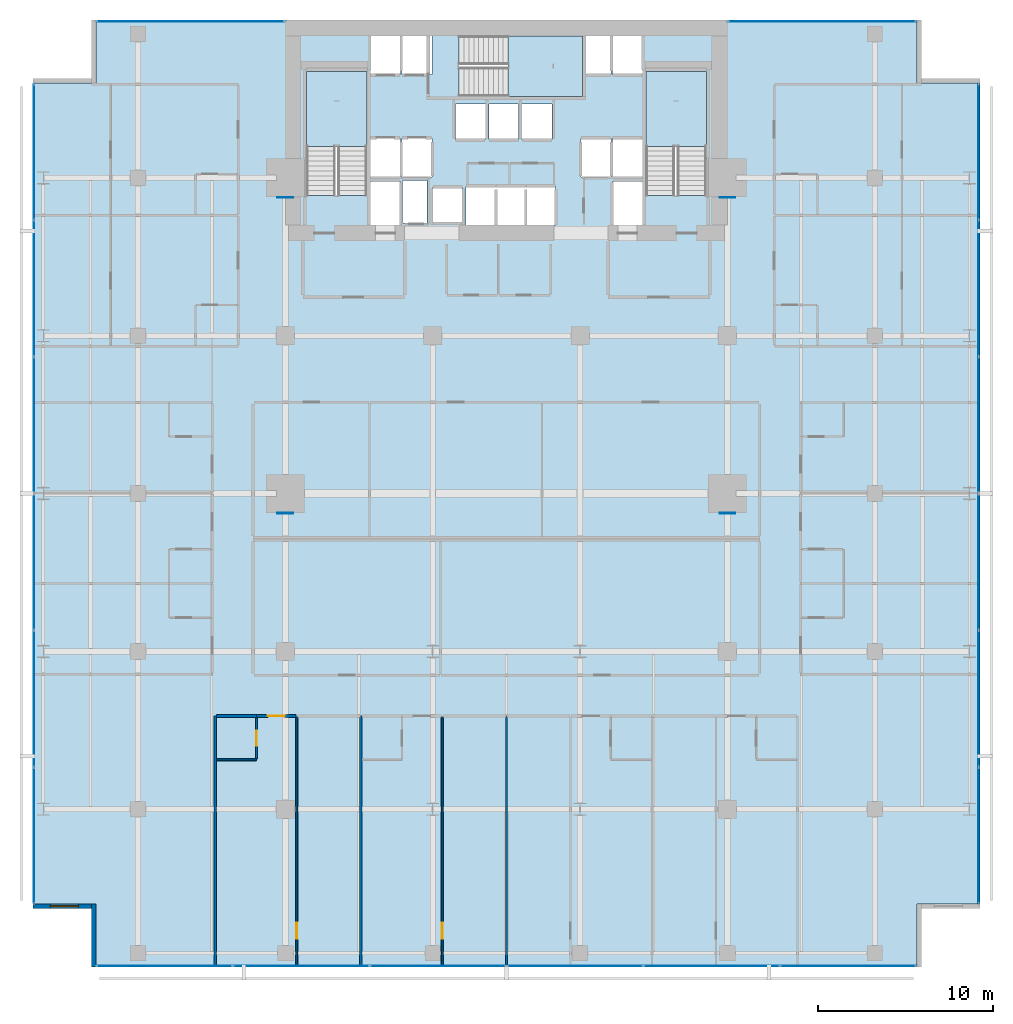
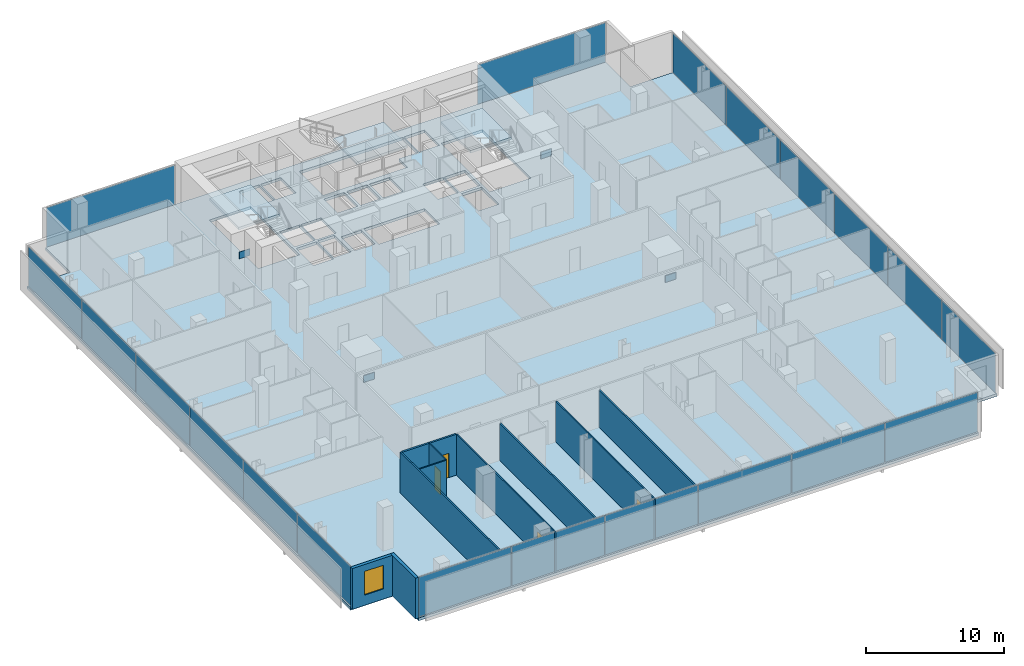
# One storey, part 32 of 40: 24 plates, 11 walls, 4 doors, 4 slabs, 1 window, 5 openings, 8 elements without a shape of their own.
"""IFC4 building model written with IfcOpenShell, lengths in metres."""

from ifc_helpers import new_model, si_unit, direction, frame, frame_2d, origin, origin_2d, place, context, subcontext, project, spatial, polyline, rectangle, outline, extrude, material, layer, layer_set, type_object, element, fill, aggregate, save


model = new_model("IFC4")

# Units and contexts
model_context = context("Model", 3, precision=1e-05, world=origin(), true_north=direction((0.0, 1.0)))
body_context = subcontext(model_context, "Body", "Model", "MODEL_VIEW")
ifc_project = project(units=[si_unit("LENGTHUNIT", "METRE"), si_unit("AREAUNIT", "SQUARE_METRE"), si_unit("VOLUMEUNIT", "CUBIC_METRE"), si_unit("PLANEANGLEUNIT", "RADIAN"), si_unit("MASSUNIT", "GRAM", prefix="KILO")], contexts=[model_context])

# Site, building, storey
site_placement = place(None, origin())
site = spatial("IfcSite", under=ifc_project, at=site_placement, CompositionType="ELEMENT")
building_placement = place(site_placement, origin())
building = spatial("IfcBuilding", under=site, at=building_placement, Name="Maruvema Waterfront Hotel and Observation Tower", CompositionType="ELEMENT")
storey_placement = place(building_placement, frame((0.0, 0.0, 50.050048828125)))
storey = spatial("IfcBuildingStorey", under=building, at=storey_placement, Name="L11", CompositionType="ELEMENT", Elevation=50.050048828125)

# Slab
ifc_material_1 = material(Name="Concrete C50/60", Category="concrete")
ifc_layer_1 = layer(ifc_material_1, 0.239990234375, Name="Reinforced Concrete Floor Slab 240 mm")
ifc_layer_set_1 = layer_set([ifc_layer_1], Name="Concrete C50/60")
slab_type_1 = type_object("IfcSlabType", Name="Reinforced Concrete Floor Slab 240 mm", PredefinedType="FLOOR", material=ifc_layer_set_1)
slab_1_placement = place(storey_placement, frame((0.0, 0.0, -0.239990234375)))
element("IfcSlab", 1, at=slab_1_placement, inside=storey, type_object=slab_type_1, Name="L11 Structural Floor Slab", PredefinedType="FLOOR", context=body_context, shape_type="SweptSolid", body=[
    extrude(outline(polyline([(14.39990234375, 0.0), (61.199951171875, 0.0), (61.199951171875, 3.60009765625), (64.800048828125, 3.60009765625), (64.800048828125, 50.39990234375), (61.199951171875, 50.39990234375), (61.199951171875, 54.0), (14.39990234375, 54.0), (14.39990234375, 50.39990234375), (10.800048828125, 50.39990234375), (10.800048828125, 3.60009765625), (14.39990234375, 3.60009765625), (14.39990234375, 0.0)]), holes=[polyline([(26.39990234375, 44.00048828125), (26.39990234375, 51.050048828125), (29.85009765625, 51.050048828125), (29.85009765625, 44.00048828125), (26.39990234375, 44.00048828125)]), polyline([(30.050048828125, 44.800048828125), (31.75, 44.800048828125), (31.75, 42.320068359375), (30.050048828125, 42.320068359375), (30.050048828125, 44.800048828125)]), polyline([(31.75, 47.25), (31.75, 45.050048828125), (30.050048828125, 45.050048828125), (30.050048828125, 47.25), (31.75, 47.25)]), polyline([(31.75, 53.10009765625), (31.75, 50.89990234375), (30.050048828125, 50.89990234375), (30.050048828125, 53.10009765625), (31.75, 53.10009765625)]), polyline([(33.280029296875, 44.860107421875), (33.280029296875, 42.43994140625), (31.8798828125, 42.43994140625), (31.8798828125, 44.860107421875), (33.280029296875, 44.860107421875)]), polyline([(31.85009765625, 47.25), (33.550048828125, 47.25), (33.550048828125, 45.050048828125), (31.85009765625, 45.050048828125), (31.85009765625, 47.25)]), polyline([(31.85009765625, 53.10009765625), (33.550048828125, 53.10009765625), (33.550048828125, 50.89990234375), (31.85009765625, 50.89990234375), (31.85009765625, 53.10009765625)]), polyline([(33.60009765625, 44.449951171875), (35.300048828125, 44.449951171875), (35.300048828125, 42.449951171875), (33.60009765625, 42.449951171875), (33.60009765625, 44.449951171875)]), polyline([(34.89990234375, 49.199951171875), (36.60009765625, 49.199951171875), (36.60009765625, 47.199951171875), (34.89990234375, 47.199951171875), (34.89990234375, 49.199951171875)]), polyline([(38.5, 49.199951171875), (38.5, 47.199951171875), (36.800048828125, 47.199951171875), (36.800048828125, 49.199951171875), (38.5, 49.199951171875)]), polyline([(35.5, 44.5), (40.60009765625, 44.5), (40.60009765625, 42.300048828125), (35.5, 42.300048828125), (35.5, 44.5)]), polyline([(43.75, 50.89990234375), (42.14990234375, 50.89990234375), (42.14990234375, 49.64990234375), (35.1005859375, 49.64990234375), (35.1005859375, 53.10009765625), (43.75, 53.10009765625), (43.75, 50.89990234375)]), polyline([(40.39990234375, 49.199951171875), (40.39990234375, 47.199951171875), (38.699951171875, 47.199951171875), (38.699951171875, 49.199951171875), (40.39990234375, 49.199951171875)]), polyline([(43.75, 47.25), (43.75, 45.050048828125), (42.050048828125, 45.050048828125), (42.050048828125, 47.25), (43.75, 47.25)]), polyline([(45.550048828125, 44.800048828125), (45.550048828125, 42.320068359375), (43.85009765625, 42.320068359375), (43.85009765625, 44.800048828125), (45.550048828125, 44.800048828125)]), polyline([(43.85009765625, 47.25), (45.550048828125, 47.25), (45.550048828125, 45.050048828125), (43.85009765625, 45.050048828125), (43.85009765625, 47.25)]), polyline([(45.550048828125, 53.10009765625), (45.550048828125, 50.89990234375), (43.85009765625, 50.89990234375), (43.85009765625, 53.10009765625), (45.550048828125, 53.10009765625)]), polyline([(45.75, 51.050048828125), (49.199951171875, 51.050048828125), (49.199951171875, 44.00048828125), (45.75, 44.00048828125), (45.75, 51.050048828125)])]), origin(), (0.0, 0.0, 1.0), 0.239990234375),
])

# Curtain wall, plates
ifc_material_2 = material(Name="Anodised bronze aluminium and solar-control low-E IGU", Category="aluminium")
ifc_layer_2 = layer(ifc_material_2, 0.159912109375, Name="Zone 1 Bronze Inner Thermal Curtain Wall System CW-02")
ifc_layer_set_2 = layer_set([ifc_layer_2], Name="Anodised bronze aluminium and solar-control low-E IGU")
curtain_wall_type = type_object("IfcCurtainWallType", Name="Zone 1 Bronze Inner Thermal Curtain Wall System CW-02", PredefinedType="USERDEFINED", material=ifc_layer_set_2)
curtain_wall_1_placement = place(storey_placement, origin())
curtain_wall_1 = element("IfcCurtainWall", 2, at=curtain_wall_1_placement, inside=storey, type_object=curtain_wall_type, Name="L11 Curtain Wall CW-L11-S", ObjectType="UNITISED CURTAIN WALL", PredefinedType="USERDEFINED")
ifc_material_3 = material(Name="Laminated low-E solar-control double glazing", Category="glass")
ifc_layer_3 = layer(ifc_material_3, 0.035888671875, Name="Solar Control Double-Glazed Curtain Panel 36 mm")
ifc_layer_set_3 = layer_set([ifc_layer_3], Name="Laminated low-E solar-control double glazing")
plate_type_1 = type_object("IfcPlateType", Name="Solar Control Double-Glazed Curtain Panel 36 mm", PredefinedType="CURTAIN_PANEL", material=ifc_layer_set_3)
plate_1_placement = place(storey_placement, frame((18.31494140625, 0.080078125, 0.06005859375), z_axis=(0.0, 0.0, 1.0), x_axis=(1.0, 0.0, 0.0)))
plate_1 = element("IfcPlate", 3, at=plate_1_placement, type_object=plate_type_1, Name="CW-02 panel 1.1", PredefinedType="CURTAIN_PANEL", context=body_context, shape_type="SweptSolid", body=[
    extrude(rectangle(XDim=7.7099609375, YDim=0.028076171875, at=origin_2d()), origin(), (0.0, 0.0, 1.0), 3.489990234375),
])
plate_2_placement = place(storey_placement, frame((26.10009765625, 0.080078125, 0.06005859375), z_axis=(0.0, 0.0, 1.0), x_axis=(1.0, 0.0, 0.0)))
plate_2 = element("IfcPlate", 4, at=plate_2_placement, type_object=plate_type_1, Name="CW-02 panel 2.1", PredefinedType="CURTAIN_PANEL", context=body_context, shape_type="SweptSolid", body=[
    extrude(rectangle(XDim=7.739990234375, YDim=0.028076171875, at=origin_2d()), origin(), (0.0, 0.0, 1.0), 3.489990234375),
])
plate_3_placement = place(storey_placement, frame((33.89990234375, 0.080078125, 0.06005859375), z_axis=(0.0, 0.0, 1.0), x_axis=(1.0, 0.0, 0.0)))
plate_3 = element("IfcPlate", 5, at=plate_3_placement, type_object=plate_type_1, Name="CW-02 panel 3.1", PredefinedType="CURTAIN_PANEL", context=body_context, shape_type="SweptSolid", body=[
    extrude(rectangle(XDim=7.739990234375, YDim=0.028076171875, at=origin_2d()), origin(), (0.0, 0.0, 1.0), 3.489990234375),
])
plate_4_placement = place(storey_placement, frame((41.699951171875, 0.080078125, 0.06005859375), z_axis=(0.0, 0.0, 1.0), x_axis=(1.0, 0.0, 0.0)))
plate_4 = element("IfcPlate", 6, at=plate_4_placement, type_object=plate_type_1, Name="CW-02 panel 4.1", PredefinedType="CURTAIN_PANEL", context=body_context, shape_type="SweptSolid", body=[
    extrude(rectangle(XDim=7.739990234375, YDim=0.028076171875, at=origin_2d()), origin(), (0.0, 0.0, 1.0), 3.489990234375),
])
plate_5_placement = place(storey_placement, frame((49.5, 0.080078125, 0.06005859375), z_axis=(0.0, 0.0, 1.0), x_axis=(1.0, 0.0, 0.0)))
plate_5 = element("IfcPlate", 7, at=plate_5_placement, type_object=plate_type_1, Name="CW-02 panel 5.1", PredefinedType="CURTAIN_PANEL", context=body_context, shape_type="SweptSolid", body=[
    extrude(rectangle(XDim=7.739990234375, YDim=0.028076171875, at=origin_2d()), origin(), (0.0, 0.0, 1.0), 3.489990234375),
])
plate_6_placement = place(storey_placement, frame((57.284912109375, 0.080078125, 0.06005859375), z_axis=(0.0, 0.0, 1.0), x_axis=(1.0, 0.0, 0.0)))
plate_6 = element("IfcPlate", 8, at=plate_6_placement, type_object=plate_type_1, Name="CW-02 panel 6.1", PredefinedType="CURTAIN_PANEL", context=body_context, shape_type="SweptSolid", body=[
    extrude(rectangle(XDim=7.7099609375, YDim=0.028076171875, at=origin_2d()), origin(), (0.0, 0.0, 1.0), 3.489990234375),
])
aggregate(curtain_wall_1, [plate_1, plate_2, plate_3, plate_4, plate_5, plate_6])

curtain_wall_2_placement = place(storey_placement, origin())
curtain_wall_2 = element("IfcCurtainWall", 9, at=curtain_wall_2_placement, inside=storey, type_object=curtain_wall_type, Name="L11 Curtain Wall CW-L11-E", ObjectType="UNITISED CURTAIN WALL", PredefinedType="USERDEFINED")
plate_7_placement = place(storey_placement, frame((64.719970703125, 7.514892578125, 0.06005859375), z_axis=(0.0, 0.0, 1.0), x_axis=(0.0, 1.0, 0.0)))
plate_7 = element("IfcPlate", 10, at=plate_7_placement, type_object=plate_type_1, Name="CW-02 panel 1.1", PredefinedType="CURTAIN_PANEL", context=body_context, shape_type="SweptSolid", body=[
    extrude(rectangle(XDim=7.7099609375, YDim=0.028076171875, at=origin_2d()), origin(), (0.0, 0.0, 1.0), 3.489990234375),
])
plate_8_placement = place(storey_placement, frame((64.719970703125, 15.300048828125, 0.06005859375), z_axis=(0.0, 0.0, 1.0), x_axis=(0.0, 1.0, 0.0)))
plate_8 = element("IfcPlate", 11, at=plate_8_placement, type_object=plate_type_1, Name="CW-02 panel 2.1", PredefinedType="CURTAIN_PANEL", context=body_context, shape_type="SweptSolid", body=[
    extrude(rectangle(XDim=7.739990234375, YDim=0.028076171875, at=origin_2d()), origin(), (0.0, 0.0, 1.0), 3.489990234375),
])
plate_9_placement = place(storey_placement, frame((64.719970703125, 23.10009765625, 0.06005859375), z_axis=(0.0, 0.0, 1.0), x_axis=(0.0, 1.0, 0.0)))
plate_9 = element("IfcPlate", 12, at=plate_9_placement, type_object=plate_type_1, Name="CW-02 panel 3.1", PredefinedType="CURTAIN_PANEL", context=body_context, shape_type="SweptSolid", body=[
    extrude(rectangle(XDim=7.739990234375, YDim=0.028076171875, at=origin_2d()), origin(), (0.0, 0.0, 1.0), 3.489990234375),
])
plate_10_placement = place(storey_placement, frame((64.719970703125, 30.89990234375, 0.06005859375), z_axis=(0.0, 0.0, 1.0), x_axis=(0.0, 1.0, 0.0)))
plate_10 = element("IfcPlate", 13, at=plate_10_placement, type_object=plate_type_1, Name="CW-02 panel 4.1", PredefinedType="CURTAIN_PANEL", context=body_context, shape_type="SweptSolid", body=[
    extrude(rectangle(XDim=7.739990234375, YDim=0.028076171875, at=origin_2d()), origin(), (0.0, 0.0, 1.0), 3.489990234375),
])
plate_11_placement = place(storey_placement, frame((64.719970703125, 38.699951171875, 0.06005859375), z_axis=(0.0, 0.0, 1.0), x_axis=(0.0, 1.0, 0.0)))
plate_11 = element("IfcPlate", 14, at=plate_11_placement, type_object=plate_type_1, Name="CW-02 panel 5.1", PredefinedType="CURTAIN_PANEL", context=body_context, shape_type="SweptSolid", body=[
    extrude(rectangle(XDim=7.739990234375, YDim=0.028076171875, at=origin_2d()), origin(), (0.0, 0.0, 1.0), 3.489990234375),
])
plate_12_placement = place(storey_placement, frame((64.719970703125, 46.485107421875, 0.06005859375), z_axis=(0.0, 0.0, 1.0), x_axis=(0.0, 1.0, 0.0)))
plate_12 = element("IfcPlate", 15, at=plate_12_placement, type_object=plate_type_1, Name="CW-02 panel 6.1", PredefinedType="CURTAIN_PANEL", context=body_context, shape_type="SweptSolid", body=[
    extrude(rectangle(XDim=7.7099609375, YDim=0.028076171875, at=origin_2d()), origin(), (0.0, 0.0, 1.0), 3.489990234375),
])
aggregate(curtain_wall_2, [plate_7, plate_8, plate_9, plate_10, plate_11, plate_12])

curtain_wall_3_placement = place(storey_placement, origin())
curtain_wall_3 = element("IfcCurtainWall", 16, at=curtain_wall_3_placement, inside=storey, type_object=curtain_wall_type, Name="L11 Curtain Wall CW-L11-W", ObjectType="UNITISED CURTAIN WALL", PredefinedType="USERDEFINED")
plate_13_placement = place(storey_placement, frame((10.8798828125, 46.485107421875, 0.06005859375), z_axis=(0.0, 0.0, 1.0), x_axis=(0.0, -1.0, 0.0)))
plate_13 = element("IfcPlate", 17, at=plate_13_placement, type_object=plate_type_1, Name="CW-02 panel 1.1", PredefinedType="CURTAIN_PANEL", context=body_context, shape_type="SweptSolid", body=[
    extrude(rectangle(XDim=7.7099609375, YDim=0.028076171875, at=origin_2d()), origin(), (0.0, 0.0, 1.0), 3.489990234375),
])
plate_14_placement = place(storey_placement, frame((10.8798828125, 38.699951171875, 0.06005859375), z_axis=(0.0, 0.0, 1.0), x_axis=(0.0, -1.0, 0.0)))
plate_14 = element("IfcPlate", 18, at=plate_14_placement, type_object=plate_type_1, Name="CW-02 panel 2.1", PredefinedType="CURTAIN_PANEL", context=body_context, shape_type="SweptSolid", body=[
    extrude(rectangle(XDim=7.739990234375, YDim=0.028076171875, at=origin_2d()), origin(), (0.0, 0.0, 1.0), 3.489990234375),
])
plate_15_placement = place(storey_placement, frame((10.8798828125, 30.89990234375, 0.06005859375), z_axis=(0.0, 0.0, 1.0), x_axis=(0.0, -1.0, 0.0)))
plate_15 = element("IfcPlate", 19, at=plate_15_placement, type_object=plate_type_1, Name="CW-02 panel 3.1", PredefinedType="CURTAIN_PANEL", context=body_context, shape_type="SweptSolid", body=[
    extrude(rectangle(XDim=7.739990234375, YDim=0.028076171875, at=origin_2d()), origin(), (0.0, 0.0, 1.0), 3.489990234375),
])
plate_16_placement = place(storey_placement, frame((10.8798828125, 23.10009765625, 0.06005859375), z_axis=(0.0, 0.0, 1.0), x_axis=(0.0, -1.0, 0.0)))
plate_16 = element("IfcPlate", 20, at=plate_16_placement, type_object=plate_type_1, Name="CW-02 panel 4.1", PredefinedType="CURTAIN_PANEL", context=body_context, shape_type="SweptSolid", body=[
    extrude(rectangle(XDim=7.739990234375, YDim=0.028076171875, at=origin_2d()), origin(), (0.0, 0.0, 1.0), 3.489990234375),
])
plate_17_placement = place(storey_placement, frame((10.8798828125, 15.300048828125, 0.06005859375), z_axis=(0.0, 0.0, 1.0), x_axis=(0.0, -1.0, 0.0)))
plate_17 = element("IfcPlate", 21, at=plate_17_placement, type_object=plate_type_1, Name="CW-02 panel 5.1", PredefinedType="CURTAIN_PANEL", context=body_context, shape_type="SweptSolid", body=[
    extrude(rectangle(XDim=7.739990234375, YDim=0.028076171875, at=origin_2d()), origin(), (0.0, 0.0, 1.0), 3.489990234375),
])
plate_18_placement = place(storey_placement, frame((10.8798828125, 7.514892578125, 0.06005859375), z_axis=(0.0, 0.0, 1.0), x_axis=(0.0, -1.0, 0.0)))
plate_18 = element("IfcPlate", 22, at=plate_18_placement, type_object=plate_type_1, Name="CW-02 panel 6.1", PredefinedType="CURTAIN_PANEL", context=body_context, shape_type="SweptSolid", body=[
    extrude(rectangle(XDim=7.7099609375, YDim=0.028076171875, at=origin_2d()), origin(), (0.0, 0.0, 1.0), 3.489990234375),
])
aggregate(curtain_wall_3, [plate_13, plate_14, plate_15, plate_16, plate_17, plate_18])

# Curtain wall, plate
curtain_wall_4_placement = place(storey_placement, origin())
curtain_wall_4 = element("IfcCurtainWall", 23, at=curtain_wall_4_placement, inside=storey, type_object=curtain_wall_type, Name="L11 Curtain Wall CW-L11-NW", ObjectType="UNITISED CURTAIN WALL", PredefinedType="USERDEFINED")
plate_19_placement = place(storey_placement, frame((19.800048828125, 53.919921875, 0.06005859375), z_axis=(0.0, 0.0, 1.0), x_axis=(-1.0, 0.0, 0.0)))
plate_19 = element("IfcPlate", 24, at=plate_19_placement, type_object=plate_type_1, Name="CW-02 panel 1.1", PredefinedType="CURTAIN_PANEL", context=body_context, shape_type="SweptSolid", body=[
    extrude(rectangle(XDim=10.679931640625, YDim=0.028076171875, at=origin_2d()), origin(), (0.0, 0.0, 1.0), 3.489990234375),
])
aggregate(curtain_wall_4, [plate_19])

curtain_wall_5_placement = place(storey_placement, origin())
curtain_wall_5 = element("IfcCurtainWall", 25, at=curtain_wall_5_placement, inside=storey, type_object=curtain_wall_type, Name="L11 Curtain Wall CW-L11-NE", ObjectType="UNITISED CURTAIN WALL", PredefinedType="USERDEFINED")
plate_20_placement = place(storey_placement, frame((55.800048828125, 53.919921875, 0.06005859375), z_axis=(0.0, 0.0, 1.0), x_axis=(-1.0, 0.0, 0.0)))
plate_20 = element("IfcPlate", 26, at=plate_20_placement, type_object=plate_type_1, Name="CW-02 panel 1.1", PredefinedType="CURTAIN_PANEL", context=body_context, shape_type="SweptSolid", body=[
    extrude(rectangle(XDim=10.679931640625, YDim=0.028076171875, at=origin_2d()), origin(), (0.0, 0.0, 1.0), 3.489990234375),
])
aggregate(curtain_wall_5, [plate_20])

# Stair, slab
ifc_material_4 = material(Name="Concrete C50/60", Category="concrete")
stair_type = type_object("IfcStairType", Name="Dogleg Exit Stair 1650 mm (22R x 175.0 mm)", PredefinedType="HALF_TURN_STAIR", material=ifc_material_4)
stair_1_placement = place(storey_placement, origin())
stair_1 = element("IfcStair", 27, at=stair_1_placement, inside=storey, type_object=stair_type, Name="L11 ST-01", PredefinedType="HALF_TURN_STAIR")
ifc_material_5 = material(Name="Concrete C50/60", Category="concrete")
ifc_layer_4 = layer(ifc_material_5, 0.219970703125, Name="Stair Concrete Landing Slab 220 mm")
ifc_layer_set_4 = layer_set([ifc_layer_4], Name="Concrete C50/60")
slab_type_2 = type_object("IfcSlabType", Name="Stair Concrete Landing Slab 220 mm", PredefinedType="LANDING", material=ifc_layer_set_4)
slab_2_placement = place(storey_placement, frame((0.0, 0.0, 1.704833984375)))
slab_2 = element("IfcSlab", 28, at=slab_2_placement, type_object=slab_type_2, Name="ST-01 landing 1", PredefinedType="LANDING", context=body_context, shape_type="SweptSolid", body=[
    extrude(outline(polyline([(29.85009765625, 46.800048828125), (29.85009765625, 51.050048828125), (26.39990234375, 51.050048828125), (26.39990234375, 46.800048828125), (29.85009765625, 46.800048828125)])), origin(), (0.0, 0.0, 1.0), 0.22021484375),
])
aggregate(stair_1, [slab_2])

stair_2_placement = place(storey_placement, origin())
stair_2 = element("IfcStair", 29, at=stair_2_placement, inside=storey, type_object=stair_type, Name="L11 ST-02", PredefinedType="HALF_TURN_STAIR")
slab_3_placement = place(storey_placement, frame((0.0, 0.0, 1.704833984375)))
slab_3 = element("IfcSlab", 30, at=slab_3_placement, type_object=slab_type_2, Name="ST-02 landing 1", PredefinedType="LANDING", context=body_context, shape_type="SweptSolid", body=[
    extrude(outline(polyline([(37.89990234375, 49.64990234375), (42.14990234375, 49.64990234375), (42.14990234375, 53.10009765625), (37.89990234375, 53.10009765625), (37.89990234375, 49.64990234375)])), origin(), (0.0, 0.0, 1.0), 0.22021484375),
])
aggregate(stair_2, [slab_3])

stair_3_placement = place(storey_placement, origin())
stair_3 = element("IfcStair", 31, at=stair_3_placement, inside=storey, type_object=stair_type, Name="L11 ST-03", PredefinedType="HALF_TURN_STAIR")
slab_4_placement = place(storey_placement, frame((0.0, 0.0, 1.704833984375)))
slab_4 = element("IfcSlab", 32, at=slab_4_placement, type_object=slab_type_2, Name="ST-03 landing 1", PredefinedType="LANDING", context=body_context, shape_type="SweptSolid", body=[
    extrude(outline(polyline([(49.199951171875, 46.800048828125), (49.199951171875, 51.050048828125), (45.75, 51.050048828125), (45.75, 46.800048828125), (49.199951171875, 46.800048828125)])), origin(), (0.0, 0.0, 1.0), 0.22021484375),
])
aggregate(stair_3, [slab_4])

# Plates
ifc_material_6 = material(Name="Steel ABNT NBR 7007 AR 415 (ASTM A572 Grade 50)", Category="steel")
ifc_layer_5 = layer(ifc_material_6, 0.0400390625, Name="Structural Truss Node Gusset Plate 40 mm")
ifc_layer_set_5 = layer_set([ifc_layer_5], Name="Steel ABNT NBR 7007 AR 415 (ASTM A572 Grade 50)")
plate_type_2 = type_object("IfcPlateType", Name="Structural Truss Node Gusset Plate 40 mm", PredefinedType="USERDEFINED", material=ifc_layer_set_5)
for number, where, z_axis, x_axis, name in (
    (33, (25.199951171875, 25.8798828125, 1.5), (0.0, 0.0, 1.0), (1.0, 0.0, 0.0), "L11 MC-01 Moment Frame Continuity Gusset Plate"),
    (34, (50.39990234375, 25.8798828125, 1.5), (0.0, 0.0, 1.0), (1.0, 0.0, 0.0), "L11 MC-02 Moment Frame Continuity Gusset Plate"),
    (35, (25.199951171875, 43.8798828125, 1.5), (0.0, 0.0, 1.0), (1.0, 0.0, 0.0), "L11 MC-03 Moment Frame Continuity Gusset Plate"),
    (36, (50.39990234375, 43.8798828125, 1.5), (0.0, 0.0, 1.0), (1.0, 0.0, 0.0), "L11 MC-04 Moment Frame Continuity Gusset Plate"),
):
    element("IfcPlate", number, at=place(storey_placement, frame(where, z_axis=z_axis, x_axis=x_axis)), inside=storey, type_object=plate_type_2, Name=name, ObjectType="GUSSET_PLATE", PredefinedType="USERDEFINED", context=body_context, shape_type="SweptSolid", body=[
        extrude(rectangle(XDim=0.89990234375, YDim=0.0400390625, at=origin_2d()), origin(), (0.0, 0.0, 1.0), 0.60009765625),
    ])

# Wall
ifc_material_7 = material(Name="Twin-stud acoustic gypsum drywall", Category="gypsum")
ifc_layer_6 = layer(ifc_material_7, 0.14990234375, Name="Acoustic Corridor and Suite Demising Wall 150 mm")
ifc_layer_set_6 = layer_set([ifc_layer_6], Name="Twin-stud acoustic gypsum drywall")
wall_type_1 = type_object("IfcWallType", Name="Acoustic Corridor and Suite Demising Wall 150 mm", PredefinedType="PARTITIONING", material=ifc_layer_set_6)
wall_1_placement = place(storey_placement, frame((21.280029296875, 14.320068359375, 0.0), z_axis=(0.0, 0.0, 1.0), x_axis=(1.0, 0.0, 0.0)))
element("IfcWall", 37, at=wall_1_placement, inside=storey, type_object=wall_type_1, Name="L11 Bath L11-S1 Back Wall 038", PredefinedType="PARTITIONING", context=body_context, shape_type="SweptSolid", body=[
    extrude(rectangle(XDim=2.27001953125, YDim=0.14990234375, at=frame_2d((1.135009765625, 0.0))), origin(), (0.0, 0.0, 1.0), 3.60986328125),
])

# Wall, opening, door
wall_2_placement = place(storey_placement, frame((23.550048828125, 14.320068359375, 0.0), z_axis=(0.0, 0.0, 1.0), x_axis=(1.0, 0.0, 0.0)))
wall_2 = element("IfcWall", 38, at=wall_2_placement, inside=storey, type_object=wall_type_1, Name="L11 Unit L11-S1 Corridor Wall 041", PredefinedType="PARTITIONING", context=body_context, shape_type="SweptSolid", body=[
    extrude(rectangle(XDim=2.258056640625, YDim=0.14990234375, at=frame_2d((1.12890625, 0.0))), origin(), (0.0, 0.0, 1.0), 3.60986328125),
])
opening_1_placement = place(wall_2_placement, frame((0.654052734375, 0.0, 0.0)))
opening_1 = element("IfcOpeningElement", 39, at=opening_1_placement, cuts=wall_2, Name="Opening DR-095", PredefinedType="OPENING", context=body_context, shape_type="SweptSolid", body=[
    extrude(rectangle(XDim=0.949951171875, YDim=2.14990234375, at=frame_2d((0.47509765625, 1.074951171875))), frame((0.0, 0.0849609375, 0.0), z_axis=(0.0, -1.0, 0.0), x_axis=(1.0, 0.0, 0.0)), (0.0, 0.0, 1.0), 0.169921875),
])
ifc_material_8 = material(Name="Acoustic solid-core hardwood timber leaf", Category="wood")
door_type_1 = type_object("IfcDoorType", Name="Guestroom Entrance Fire Door 950x2150 mm", OperationType="NOTDEFINED", PredefinedType="DOOR", material=ifc_material_8)
door_1_placement = place(opening_1_placement, frame((0.949951171875, 0.0, 0.0), z_axis=(0.0, 0.0, 1.0), x_axis=(-1.0, 0.0, 0.0)))
door_1 = element("IfcDoor", 40, at=door_1_placement, inside=storey, type_object=door_type_1, Name="L11 Unit L11-S1 Entrance Door", OperationType="SINGLE_SWING_RIGHT", OverallHeight=2.14990234375, OverallWidth=0.949951171875, PredefinedType="DOOR", context=body_context, shape_type="SweptSolid", body=[
    extrude(rectangle(XDim=0.949951171875, YDim=2.14990234375, at=frame_2d((0.47509765625, 1.074951171875))), frame((0.0, 0.02490234375, 0.0), z_axis=(0.0, -1.0, 0.0), x_axis=(1.0, 0.0, 0.0)), (0.0, 0.0, 1.0), 0.050048828125),
])
fill(opening_1, door_1)

# Wall
ifc_material_9 = material(Name="Moisture-resistant cement-board drywall", Category="gypsum")
ifc_layer_7 = layer(ifc_material_9, 0.10009765625, Name="En-Suite Moisture-Resistant Partition 100 mm")
ifc_layer_set_7 = layer_set([ifc_layer_7], Name="Moisture-resistant cement-board drywall")
wall_type_2 = type_object("IfcWallType", Name="En-Suite Moisture-Resistant Partition 100 mm", PredefinedType="PARTITIONING", material=ifc_layer_set_7)
wall_3_placement = place(storey_placement, frame((21.280029296875, 11.820068359375, 0.0), z_axis=(0.0, 0.0, 1.0), x_axis=(1.0, 0.0, 0.0)))
element("IfcWall", 41, at=wall_3_placement, inside=storey, type_object=wall_type_2, Name="L11 En-Suite L11-S1 South 039", PredefinedType="PARTITIONING", context=body_context, shape_type="SweptSolid", body=[
    extrude(rectangle(XDim=2.27001953125, YDim=0.10009765625, at=frame_2d((1.135009765625, 0.0))), origin(), (0.0, 0.0, 1.0), 3.60986328125),
])

# Wall, opening, door
wall_4_placement = place(storey_placement, frame((23.550048828125, 11.8798828125, 0.0), z_axis=(0.0, 0.0, 1.0), x_axis=(0.0, 1.0, 0.0)))
wall_4 = element("IfcWall", 42, at=wall_4_placement, inside=storey, type_object=wall_type_2, Name="L11 En-Suite L11-S1 East 040", PredefinedType="PARTITIONING", context=body_context, shape_type="SweptSolid", body=[
    extrude(rectangle(XDim=2.340087890625, YDim=0.10009765625, at=frame_2d((1.169921875, 0.0))), origin(), (0.0, 0.0, 1.0), 3.60986328125),
])
opening_2_placement = place(wall_4_placement, frame((0.7451171875, 0.0, 0.0)))
opening_2 = element("IfcOpeningElement", 43, at=opening_2_placement, cuts=wall_4, Name="Opening DR-085", PredefinedType="OPENING", context=body_context, shape_type="SweptSolid", body=[
    extrude(rectangle(XDim=0.85009765625, YDim=2.10009765625, at=frame_2d((0.425048828125, 1.050048828125))), frame((0.0, 0.06005859375, 0.0), z_axis=(0.0, -1.0, 0.0), x_axis=(1.0, 0.0, 0.0)), (0.0, 0.0, 1.0), 0.1201171875),
])
ifc_material_10 = material(Name="Moisture-resistant solid timber leaf", Category="wood")
door_type_2 = type_object("IfcDoorType", Name="En-Suite Bathroom Door 850x2100 mm", OperationType="NOTDEFINED", PredefinedType="DOOR", material=ifc_material_10)
door_2_placement = place(opening_2_placement, frame((0.85009765625, 0.0, 0.0), z_axis=(0.0, 0.0, 1.0), x_axis=(-1.0, 0.0, 0.0)))
door_2 = element("IfcDoor", 44, at=door_2_placement, inside=storey, type_object=door_type_2, Name="L11 En-Suite L11-S1 Door", OperationType="SINGLE_SWING_LEFT", OverallHeight=2.10009765625, OverallWidth=0.85009765625, PredefinedType="DOOR", context=body_context, shape_type="SweptSolid", body=[
    extrude(rectangle(XDim=0.85009765625, YDim=2.10009765625, at=frame_2d((0.425048828125, 1.050048828125))), frame((0.0, 0.02490234375, 0.0), z_axis=(0.0, -1.0, 0.0), x_axis=(1.0, 0.0, 0.0)), (0.0, 0.0, 1.0), 0.050048828125),
])
fill(opening_2, door_2)

wall_5_placement = place(storey_placement, frame((25.847900390625, 0.030029296875, 0.0), z_axis=(0.0, 0.0, 1.0), x_axis=(0.0, 1.0, 0.0)))
wall_5 = element("IfcWall", 45, at=wall_5_placement, inside=storey, type_object=wall_type_2, Name="L11 Suite L11-S1 Split 043", PredefinedType="PARTITIONING", context=body_context, shape_type="SweptSolid", body=[
    extrude(rectangle(XDim=14.22998046875, YDim=0.10009765625, at=frame_2d((7.114990234375, 0.0))), origin(), (0.0, 0.0, 1.0), 3.60986328125),
])
opening_3_placement = place(wall_5_placement, frame((1.60009765625, 0.0, 0.0)))
opening_3 = element("IfcOpeningElement", 46, at=opening_3_placement, cuts=wall_5, Name="Opening DR-090", PredefinedType="OPENING", context=body_context, shape_type="SweptSolid", body=[
    extrude(rectangle(XDim=0.89990234375, YDim=2.10009765625, at=frame_2d((0.449951171875, 1.050048828125))), frame((0.0, 0.06005859375, 0.0), z_axis=(0.0, -1.0, 0.0), x_axis=(1.0, 0.0, 0.0)), (0.0, 0.0, 1.0), 0.1201171875),
])
ifc_material_11 = material(Name="Solid-core lacquered timber leaf", Category="wood")
door_type_3 = type_object("IfcDoorType", Name="Accessible Toilet and Room Door 900x2100 mm", OperationType="NOTDEFINED", PredefinedType="DOOR", material=ifc_material_11)
door_3_placement = place(opening_3_placement, origin())
door_3 = element("IfcDoor", 47, at=door_3_placement, inside=storey, type_object=door_type_3, Name="L11 Suite L11-S1 Bedroom Door", OperationType="SINGLE_SWING_LEFT", OverallHeight=2.10009765625, OverallWidth=0.89990234375, PredefinedType="DOOR", context=body_context, shape_type="SweptSolid", body=[
    extrude(rectangle(XDim=0.89990234375, YDim=2.10009765625, at=frame_2d((0.449951171875, 1.050048828125))), frame((0.0, 0.02490234375, 0.0), z_axis=(0.0, -1.0, 0.0), x_axis=(1.0, 0.0, 0.0)), (0.0, 0.0, 1.0), 0.050048828125),
])
fill(opening_3, door_3)

wall_6_placement = place(storey_placement, frame((34.14794921875, 0.030029296875, 0.0), z_axis=(0.0, 0.0, 1.0), x_axis=(0.0, 1.0, 0.0)))
wall_6 = element("IfcWall", 48, at=wall_6_placement, inside=storey, type_object=wall_type_2, Name="L11 Suite L11-S2 Split 050", PredefinedType="PARTITIONING", context=body_context, shape_type="SweptSolid", body=[
    extrude(rectangle(XDim=14.22998046875, YDim=0.10009765625, at=frame_2d((7.114990234375, 0.0))), origin(), (0.0, 0.0, 1.0), 3.60986328125),
])
opening_4_placement = place(wall_6_placement, frame((1.60009765625, 0.0, 0.0)))
opening_4 = element("IfcOpeningElement", 49, at=opening_4_placement, cuts=wall_6, Name="Opening DR-090", PredefinedType="OPENING", context=body_context, shape_type="SweptSolid", body=[
    extrude(rectangle(XDim=0.89990234375, YDim=2.10009765625, at=frame_2d((0.449951171875, 1.050048828125))), frame((0.0, 0.06005859375, 0.0), z_axis=(0.0, -1.0, 0.0), x_axis=(1.0, 0.0, 0.0)), (0.0, 0.0, 1.0), 0.1201171875),
])
door_4_placement = place(opening_4_placement, origin())
door_4 = element("IfcDoor", 50, at=door_4_placement, inside=storey, type_object=door_type_3, Name="L11 Suite L11-S2 Bedroom Door", OperationType="SINGLE_SWING_RIGHT", OverallHeight=2.10009765625, OverallWidth=0.89990234375, PredefinedType="DOOR", context=body_context, shape_type="SweptSolid", body=[
    extrude(rectangle(XDim=0.89990234375, YDim=2.10009765625, at=frame_2d((0.449951171875, 1.050048828125))), frame((0.0, 0.02490234375, 0.0), z_axis=(0.0, -1.0, 0.0), x_axis=(1.0, 0.0, 0.0)), (0.0, 0.0, 1.0), 0.050048828125),
])
fill(opening_4, door_4)

# Wall
ifc_material_12 = material(Name="Precast concrete C45/55 with honed Pernambuco granite facing", Category="masonry")
ifc_layer_8 = layer(ifc_material_12, 0.260009765625, Name="Exterior Granite Clad Spandrel and Pier Wall 260 mm")
ifc_layer_set_8 = layer_set([ifc_layer_8], Name="Precast concrete C45/55 with honed Pernambuco granite facing")
wall_type_3 = type_object("IfcWallType", Name="Exterior Granite Clad Spandrel and Pier Wall 260 mm", PredefinedType="SOLIDWALL", material=ifc_layer_set_8)
wall_7_placement = place(storey_placement, frame((14.27001953125, 0.0, 0.0), z_axis=(0.0, 0.0, 1.0), x_axis=(0.0, 1.0, 0.0)))
element("IfcWall", 51, at=wall_7_placement, inside=storey, type_object=wall_type_3, Name="L11 Corner Notch Granite Pier Wall SW1", PredefinedType="SOLIDWALL", context=body_context, shape_type="SweptSolid", body=[
    extrude(rectangle(XDim=3.60009765625, YDim=0.260009765625, at=frame_2d((1.800048828125, 0.0))), origin(), (0.0, 0.0, 1.0), 3.60986328125),
])

# Wall, opening, window
wall_8_placement = place(storey_placement, frame((14.39990234375, 3.469970703125, 0.0), z_axis=(0.0, 0.0, 1.0), x_axis=(-1.0, 0.0, 0.0)))
wall_8 = element("IfcWall", 52, at=wall_8_placement, inside=storey, type_object=wall_type_3, Name="L11 Corner Notch Granite Pier Wall SW2", PredefinedType="SOLIDWALL", context=body_context, shape_type="SweptSolid", body=[
    extrude(rectangle(XDim=3.599853515625, YDim=0.260009765625, at=frame_2d((1.7998046875, 0.0))), origin(), (0.0, 0.0, 1.0), 3.60986328125),
])
opening_5_placement = place(wall_8_placement, frame((1.0, 0.0, 0.89990234375)))
opening_5 = element("IfcOpeningElement", 53, at=opening_5_placement, cuts=wall_8, Name="Opening WN-01", PredefinedType="OPENING", context=body_context, shape_type="SweptSolid", body=[
    extrude(rectangle(XDim=1.60009765625, YDim=2.10009765625, at=frame_2d((0.800048828125, 1.050048828125))), frame((0.0, 0.14013671875, 0.0), z_axis=(0.0, -1.0, 0.0), x_axis=(1.0, 0.0, 0.0)), (0.0, 0.0, 1.0), 0.280029296875),
])
ifc_material_13 = material(Name="Anodised bronze aluminium frame with laminated low-E glass", Category="aluminium")
window_type = type_object("IfcWindowType", Name="Corner Notch Feature Window 1600x2100 mm", PartitioningType="SINGLE_PANEL", PredefinedType="WINDOW", material=ifc_material_13)
window_placement = place(opening_5_placement, origin())
window = element("IfcWindow", 54, at=window_placement, inside=storey, type_object=window_type, Name="L11 Corner Notch Punched Window SW2", OverallHeight=2.10009765625, OverallWidth=1.60009765625, PartitioningType="SINGLE_PANEL", PredefinedType="WINDOW", context=body_context, shape_type="SweptSolid", body=[
    extrude(rectangle(XDim=1.60009765625, YDim=2.10009765625, at=frame_2d((0.800048828125, 1.050048828125))), frame((0.0, 0.030029296875, 0.0), z_axis=(0.0, -1.0, 0.0), x_axis=(1.0, 0.0, 0.0)), (0.0, 0.0, 1.0), 0.06005859375),
])
fill(opening_5, window)

# Walls
ifc_material_14 = material(Name="Acoustic gypsum plasterboard drywall", Category="gypsum")
ifc_layer_9 = layer(ifc_material_14, 0.125, Name="Guestroom Acoustic Demising Wall 125 mm")
ifc_layer_set_9 = layer_set([ifc_layer_9], Name="Acoustic gypsum plasterboard drywall")
wall_type_4 = type_object("IfcWallType", Name="Guestroom Acoustic Demising Wall 125 mm", PredefinedType="PARTITIONING", material=ifc_layer_set_9)
wall_9_placement = place(storey_placement, frame((21.199951171875, 0.10009765625, 0.0), z_axis=(0.0, 0.0, 1.0), x_axis=(0.0, 1.0, 0.0)))
element("IfcWall", 55, at=wall_9_placement, inside=storey, type_object=wall_type_4, Name="L11 S West End 036", PredefinedType="PARTITIONING", context=body_context, shape_type="SweptSolid", body=[
    extrude(rectangle(XDim=14.219970703125, YDim=0.125, at=frame_2d((7.10986328125, 0.0))), origin(), (0.0, 0.0, 1.0), 3.60986328125),
])
wall_10_placement = place(storey_placement, frame((29.5, 0.10009765625, 0.0), z_axis=(0.0, 0.0, 1.0), x_axis=(0.0, 1.0, 0.0)))
element("IfcWall", 56, at=wall_10_placement, inside=storey, type_object=wall_type_4, Name="L11 S Demising 2 044", PredefinedType="PARTITIONING", context=body_context, shape_type="SweptSolid", body=[
    extrude(rectangle(XDim=14.219970703125, YDim=0.125, at=frame_2d((7.10986328125, 0.0))), origin(), (0.0, 0.0, 1.0), 3.2548828125),
])
wall_11_placement = place(storey_placement, frame((37.800048828125, 0.10009765625, 0.0), z_axis=(0.0, 0.0, 1.0), x_axis=(0.0, 1.0, 0.0)))
element("IfcWall", 57, at=wall_11_placement, inside=storey, type_object=wall_type_4, Name="L11 S Demising 3 051", PredefinedType="PARTITIONING", context=body_context, shape_type="SweptSolid", body=[
    extrude(rectangle(XDim=14.219970703125, YDim=0.125, at=frame_2d((7.10986328125, 0.0))), origin(), (0.0, 0.0, 1.0), 3.29296875),
])

save(model, "model.ifc")
